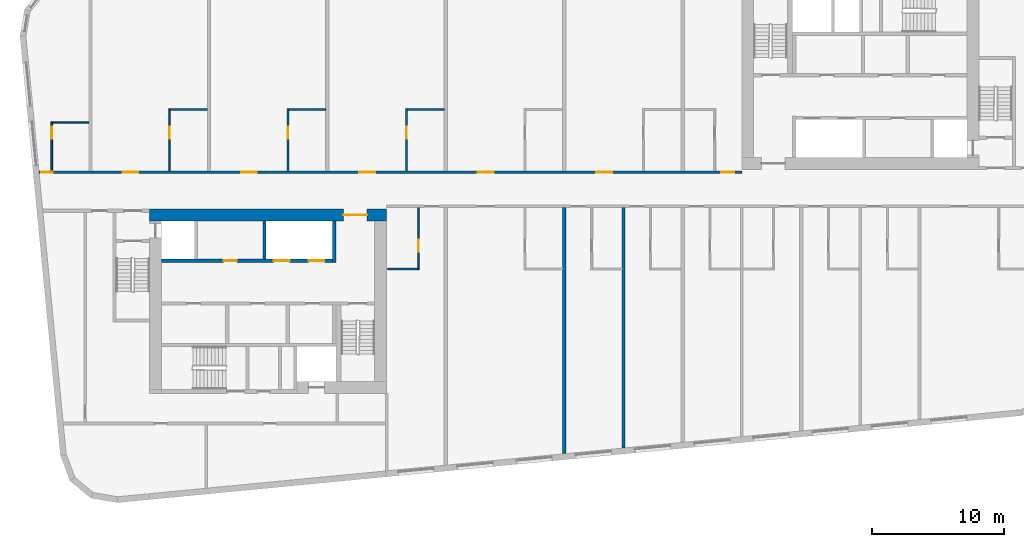
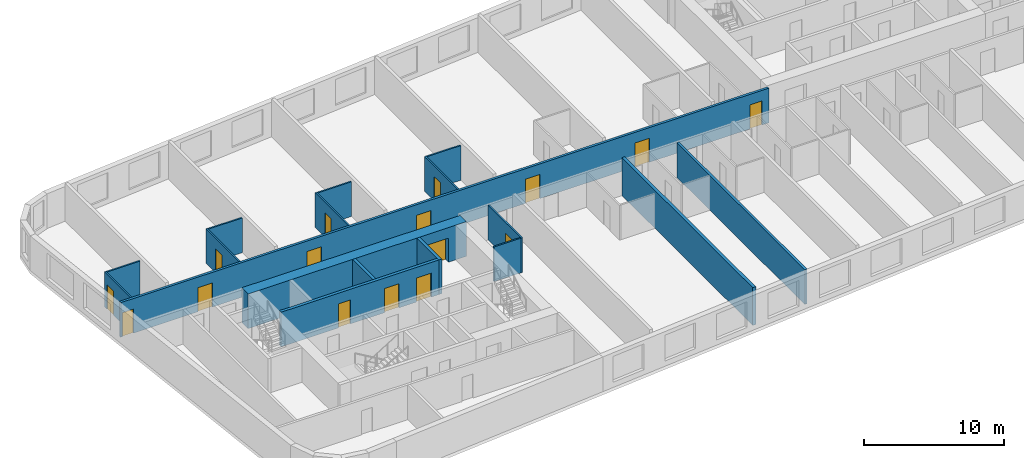
# One storey, part 3 of 11: 17 walls, 16 doors, 16 openings.
"""IFC4 building model written with IfcOpenShell, lengths in metres."""

from ifc_helpers import new_model, si_unit, direction, frame, frame_2d, origin, place, context, subcontext, project, spatial, rectangle, extrude, material, layer, layer_set, type_object, element, fill, save


model = new_model("IFC4")

# Units and contexts
model_context = context("Model", 3, precision=1e-05, world=origin(), true_north=direction((0.0, 1.0)))
body_context = subcontext(model_context, "Body", "Model", "MODEL_VIEW")
ifc_project = project(units=[si_unit("LENGTHUNIT", "METRE"), si_unit("AREAUNIT", "SQUARE_METRE"), si_unit("VOLUMEUNIT", "CUBIC_METRE"), si_unit("PLANEANGLEUNIT", "RADIAN"), si_unit("MASSUNIT", "GRAM", prefix="KILO")], contexts=[model_context])

# Site, building, storey
site_placement = place(None, origin())
site = spatial("IfcSite", under=ifc_project, at=site_placement, CompositionType="ELEMENT")
building_placement = place(site_placement, origin())
building = spatial("IfcBuilding", under=site, at=building_placement, Name="Kajstack Hotel Tower", CompositionType="ELEMENT")
storey_placement = place(building_placement, frame((0.0, 0.0, 285.0)))
storey = spatial("IfcBuildingStorey", under=building, at=storey_placement, Name="L71", CompositionType="ELEMENT", Elevation=285.0)

# Wall, opening, door
ifc_material_1 = material(Name="Concrete C60/75", Category="concrete")
ifc_layer_1 = layer(ifc_material_1, 0.89990234375)
ifc_layer_set_1 = layer_set([ifc_layer_1], Name="Core wall 900")
wall_type_1 = type_object("IfcWallType", Name="Core wall 900", PredefinedType="SHEAR", material=ifc_layer_set_1)
wall_1_placement = place(storey_placement, frame((-31.5, -1.949951171875, 0.0), z_axis=(0.0, 0.0, 1.0), x_axis=(1.0, 0.0, 0.0)))
wall_1 = element("IfcWall", 1, at=wall_1_placement, inside=storey, type_object=wall_type_1, Name="Core wall W RN", PredefinedType="SHEAR", context=body_context, shape_type="SweptSolid", body=[
    extrude(rectangle(XDim=18.0, YDim=0.89990234375, at=frame_2d((9.0, 0.0))), origin(), (0.0, 0.0, 1.0), 3.02001953125),
])
opening_1_placement = place(wall_1_placement, frame((14.72509765625, 0.0, 0.0)))
opening_1 = element("IfcOpeningElement", 2, at=opening_1_placement, cuts=wall_1, Name="Opening 71W05", PredefinedType="OPENING", context=body_context, shape_type="SweptSolid", body=[
    extrude(rectangle(XDim=1.800048828125, YDim=2.10009765625, at=frame_2d((0.89990234375, 1.050048828125))), frame((0.0, 0.4599609375, 0.0), z_axis=(0.0, -1.0, 0.0), x_axis=(1.0, 0.0, 0.0)), (0.0, 0.0, 1.0), 0.919921875),
])
ifc_material_2 = material(Name="Glazed steel frame, fire-rated glass", Category="steel")
door_type_1 = type_object("IfcDoorType", Name="Lobby double door 1800", OperationType="DOUBLE_DOOR_DOUBLE_SWING", PredefinedType="DOOR", material=ifc_material_2)
door_1_placement = place(opening_1_placement, origin())
door_1 = element("IfcDoor", 3, at=door_1_placement, inside=storey, type_object=door_type_1, Name="Door 71W05", OperationType="DOUBLE_DOOR_DOUBLE_SWING", OverallHeight=2.10009765625, OverallWidth=1.800048828125, PredefinedType="DOOR", context=body_context, shape_type="SweptSolid", body=[
    extrude(rectangle(XDim=1.800048828125, YDim=2.10009765625, at=frame_2d((0.89990234375, 1.050048828125))), frame((0.0, 0.02490234375, 0.0), z_axis=(0.0, -1.0, 0.0), x_axis=(1.0, 0.0, 0.0)), (0.0, 0.0, 1.0), 0.050048828125),
])
fill(opening_1, door_1)

# Wall, openings, doors
ifc_material_3 = material(Name="Gypsum board on steel studs, mineral wool", Category="steel")
ifc_layer_2 = layer(ifc_material_3, 0.199951171875)
ifc_layer_set_2 = layer_set([ifc_layer_2], Name="Corridor wall 200")
wall_type_2 = type_object("IfcWallType", Name="Corridor wall 200", PredefinedType="PARTITIONING", material=ifc_layer_set_2)
wall_2_placement = place(storey_placement, frame((-39.908935546875, 1.300048828125, 0.0), z_axis=(0.0, 0.0, 1.0), x_axis=(1.0, 0.0, 0.0)))
wall_2 = element("IfcWall", 4, at=wall_2_placement, inside=storey, type_object=wall_type_2, Name="G-wall-L71-003", PredefinedType="PARTITIONING", context=body_context, shape_type="SweptSolid", body=[
    extrude(rectangle(XDim=53.408935546875, YDim=0.199951171875, at=frame_2d((26.70458984375, 0.0))), origin(), (0.0, 0.0, 1.0), 3.02001953125),
])
opening_2_placement = place(wall_2_placement, frame((0.14990234375, 0.0, 0.0)))
opening_2 = element("IfcOpeningElement", 5, at=opening_2_placement, cuts=wall_2, Name="Opening 71001", PredefinedType="OPENING", context=body_context, shape_type="SweptSolid", body=[
    extrude(rectangle(XDim=0.89990234375, YDim=2.10009765625, at=frame_2d((0.449951171875, 1.050048828125))), frame((0.0, 0.10986328125, 0.0), z_axis=(0.0, -1.0, 0.0), x_axis=(1.0, 0.0, 0.0)), (0.0, 0.0, 1.0), 0.219970703125),
])
opening_3_placement = place(wall_2_placement, frame((6.346923828125, 0.0, 0.0)))
opening_3 = element("IfcOpeningElement", 6, at=opening_3_placement, cuts=wall_2, Name="Opening 71003", PredefinedType="OPENING", context=body_context, shape_type="SweptSolid", body=[
    extrude(rectangle(XDim=1.199951171875, YDim=2.10009765625, at=frame_2d((0.60009765625, 1.050048828125))), frame((0.0, 0.10986328125, 0.0), z_axis=(0.0, -1.0, 0.0), x_axis=(1.0, 0.0, 0.0)), (0.0, 0.0, 1.0), 0.219970703125),
])
opening_4_placement = place(wall_2_placement, frame((15.346923828125, 0.0, 0.0)))
opening_4 = element("IfcOpeningElement", 7, at=opening_4_placement, cuts=wall_2, Name="Opening 71005", PredefinedType="OPENING", context=body_context, shape_type="SweptSolid", body=[
    extrude(rectangle(XDim=1.199951171875, YDim=2.10009765625, at=frame_2d((0.60009765625, 1.050048828125))), frame((0.0, 0.10986328125, 0.0), z_axis=(0.0, -1.0, 0.0), x_axis=(1.0, 0.0, 0.0)), (0.0, 0.0, 1.0), 0.219970703125),
])
opening_5_placement = place(wall_2_placement, frame((24.345947265625, 0.0, 0.0)))
opening_5 = element("IfcOpeningElement", 8, at=opening_5_placement, cuts=wall_2, Name="Opening 71007", PredefinedType="OPENING", context=body_context, shape_type="SweptSolid", body=[
    extrude(rectangle(XDim=1.199951171875, YDim=2.10009765625, at=frame_2d((0.60009765625, 1.050048828125))), frame((0.0, 0.10986328125, 0.0), z_axis=(0.0, -1.0, 0.0), x_axis=(1.0, 0.0, 0.0)), (0.0, 0.0, 1.0), 0.219970703125),
])
opening_6_placement = place(wall_2_placement, frame((33.345947265625, 0.0, 0.0)))
opening_6 = element("IfcOpeningElement", 9, at=opening_6_placement, cuts=wall_2, Name="Opening 71009", PredefinedType="OPENING", context=body_context, shape_type="SweptSolid", body=[
    extrude(rectangle(XDim=1.199951171875, YDim=2.10009765625, at=frame_2d((0.60009765625, 1.050048828125))), frame((0.0, 0.10986328125, 0.0), z_axis=(0.0, -1.0, 0.0), x_axis=(1.0, 0.0, 0.0)), (0.0, 0.0, 1.0), 0.219970703125),
])
opening_7_placement = place(wall_2_placement, frame((42.345947265625, 0.0, 0.0)))
opening_7 = element("IfcOpeningElement", 10, at=opening_7_placement, cuts=wall_2, Name="Opening 71011", PredefinedType="OPENING", context=body_context, shape_type="SweptSolid", body=[
    extrude(rectangle(XDim=1.199951171875, YDim=2.10009765625, at=frame_2d((0.60009765625, 1.050048828125))), frame((0.0, 0.10986328125, 0.0), z_axis=(0.0, -1.0, 0.0), x_axis=(1.0, 0.0, 0.0)), (0.0, 0.0, 1.0), 0.219970703125),
])
opening_8_placement = place(wall_2_placement, frame((51.833984375, 0.0, 0.0)))
opening_8 = element("IfcOpeningElement", 11, at=opening_8_placement, cuts=wall_2, Name="Opening 71013", PredefinedType="OPENING", context=body_context, shape_type="SweptSolid", body=[
    extrude(rectangle(XDim=1.0, YDim=2.10009765625, at=frame_2d((0.5, 1.050048828125))), frame((0.0, 0.10986328125, 0.0), z_axis=(0.0, -1.0, 0.0), x_axis=(1.0, 0.0, 0.0)), (0.0, 0.0, 1.0), 0.219970703125),
])
ifc_material_4 = material(Name="Oak veneer on timber core, fire-rated leaf", Category="wood")
door_type_2 = type_object("IfcDoorType", Name="Flat entrance door 1000", OperationType="SINGLE_SWING_LEFT", PredefinedType="DOOR", material=ifc_material_4)
door_2_placement = place(opening_8_placement, origin())
door_2 = element("IfcDoor", 12, at=door_2_placement, inside=storey, type_object=door_type_2, Name="G-door-L71-13", OperationType="SINGLE_SWING_RIGHT", OverallHeight=2.10009765625, OverallWidth=1.0, PredefinedType="DOOR", context=body_context, shape_type="SweptSolid", body=[
    extrude(rectangle(XDim=1.0, YDim=2.10009765625, at=frame_2d((0.5, 1.050048828125))), frame((0.0, 0.02490234375, 0.0), z_axis=(0.0, -1.0, 0.0), x_axis=(1.0, 0.0, 0.0)), (0.0, 0.0, 1.0), 0.050048828125),
])
fill(opening_8, door_2)
door_type_3 = type_object("IfcDoorType", Name="Flat entrance door 1200", OperationType="SINGLE_SWING_LEFT", PredefinedType="DOOR", material=ifc_material_4)
door_3_placement = place(opening_3_placement, origin())
door_3 = element("IfcDoor", 13, at=door_3_placement, inside=storey, type_object=door_type_3, Name="G-door-L71-03", OperationType="SINGLE_SWING_LEFT", OverallHeight=2.10009765625, OverallWidth=1.199951171875, PredefinedType="DOOR", context=body_context, shape_type="SweptSolid", body=[
    extrude(rectangle(XDim=1.199951171875, YDim=2.10009765625, at=frame_2d((0.60009765625, 1.050048828125))), frame((0.0, 0.02490234375, 0.0), z_axis=(0.0, -1.0, 0.0), x_axis=(1.0, 0.0, 0.0)), (0.0, 0.0, 1.0), 0.050048828125),
])
fill(opening_3, door_3)
door_4_placement = place(opening_4_placement, origin())
door_4 = element("IfcDoor", 14, at=door_4_placement, inside=storey, type_object=door_type_3, Name="G-door-L71-05", OperationType="SINGLE_SWING_RIGHT", OverallHeight=2.10009765625, OverallWidth=1.199951171875, PredefinedType="DOOR", context=body_context, shape_type="SweptSolid", body=[
    extrude(rectangle(XDim=1.199951171875, YDim=2.10009765625, at=frame_2d((0.60009765625, 1.050048828125))), frame((0.0, 0.02490234375, 0.0), z_axis=(0.0, -1.0, 0.0), x_axis=(1.0, 0.0, 0.0)), (0.0, 0.0, 1.0), 0.050048828125),
])
fill(opening_4, door_4)
door_5_placement = place(opening_5_placement, origin())
door_5 = element("IfcDoor", 15, at=door_5_placement, inside=storey, type_object=door_type_3, Name="G-door-L71-07", OperationType="SINGLE_SWING_RIGHT", OverallHeight=2.10009765625, OverallWidth=1.199951171875, PredefinedType="DOOR", context=body_context, shape_type="SweptSolid", body=[
    extrude(rectangle(XDim=1.199951171875, YDim=2.10009765625, at=frame_2d((0.60009765625, 1.050048828125))), frame((0.0, 0.02490234375, 0.0), z_axis=(0.0, -1.0, 0.0), x_axis=(1.0, 0.0, 0.0)), (0.0, 0.0, 1.0), 0.050048828125),
])
fill(opening_5, door_5)
door_6_placement = place(opening_6_placement, origin())
door_6 = element("IfcDoor", 16, at=door_6_placement, inside=storey, type_object=door_type_3, Name="G-door-L71-09", OperationType="SINGLE_SWING_RIGHT", OverallHeight=2.10009765625, OverallWidth=1.199951171875, PredefinedType="DOOR", context=body_context, shape_type="SweptSolid", body=[
    extrude(rectangle(XDim=1.199951171875, YDim=2.10009765625, at=frame_2d((0.60009765625, 1.050048828125))), frame((0.0, 0.02490234375, 0.0), z_axis=(0.0, -1.0, 0.0), x_axis=(1.0, 0.0, 0.0)), (0.0, 0.0, 1.0), 0.050048828125),
])
fill(opening_6, door_6)
door_7_placement = place(opening_7_placement, origin())
door_7 = element("IfcDoor", 17, at=door_7_placement, inside=storey, type_object=door_type_3, Name="G-door-L71-11", OperationType="SINGLE_SWING_LEFT", OverallHeight=2.10009765625, OverallWidth=1.199951171875, PredefinedType="DOOR", context=body_context, shape_type="SweptSolid", body=[
    extrude(rectangle(XDim=1.199951171875, YDim=2.10009765625, at=frame_2d((0.60009765625, 1.050048828125))), frame((0.0, 0.02490234375, 0.0), z_axis=(0.0, -1.0, 0.0), x_axis=(1.0, 0.0, 0.0)), (0.0, 0.0, 1.0), 0.050048828125),
])
fill(opening_7, door_7)
ifc_material_5 = material(Name="Painted timber door leaf", Category="wood")
door_type_4 = type_object("IfcDoorType", Name="Room door 900", OperationType="SINGLE_SWING_LEFT", PredefinedType="DOOR", material=ifc_material_5)
door_8_placement = place(opening_2_placement, origin())
door_8 = element("IfcDoor", 18, at=door_8_placement, inside=storey, type_object=door_type_4, Name="G-door-L71-01", OperationType="SINGLE_SWING_LEFT", OverallHeight=2.10009765625, OverallWidth=0.89990234375, PredefinedType="DOOR", context=body_context, shape_type="SweptSolid", body=[
    extrude(rectangle(XDim=0.89990234375, YDim=2.10009765625, at=frame_2d((0.449951171875, 1.050048828125))), frame((0.0, 0.02490234375, 0.0), z_axis=(0.0, -1.0, 0.0), x_axis=(1.0, 0.0, 0.0)), (0.0, 0.0, 1.0), 0.050048828125),
])
fill(opening_2, door_8)

# Wall
ifc_material_6 = material(Name="Twin-frame gypsum board on steel studs, mineral wool", Category="steel")
ifc_layer_3 = layer(ifc_material_6, 0.199951171875)
ifc_layer_set_3 = layer_set([ifc_layer_3], Name="Demising wall 200")
wall_type_3 = type_object("IfcWallType", Name="Demising wall 200", PredefinedType="PARTITIONING", material=ifc_layer_set_3)
wall_3_placement = place(storey_placement, frame((4.5, -19.6630859375, 0.0), z_axis=(0.0, 0.0, 1.0), x_axis=(0.0, 1.0, 0.0)))
element("IfcWall", 19, at=wall_3_placement, inside=storey, type_object=wall_type_3, Name="G-wall-L71-023", PredefinedType="PARTITIONING", context=body_context, shape_type="SweptSolid", body=[
    extrude(rectangle(XDim=18.26318359375, YDim=0.199951171875, at=frame_2d((9.131591796875, 0.0))), origin(), (0.0, 0.0, 1.0), 3.02001953125),
])

# Wall, opening, door
ifc_material_7 = material(Name="Gypsum board and tiled backer on steel studs", Category="steel")
ifc_layer_4 = layer(ifc_material_7, 0.125)
ifc_layer_set_4 = layer_set([ifc_layer_4], Name="En-suite wall 125")
wall_type_4 = type_object("IfcWallType", Name="En-suite wall 125", PredefinedType="PARTITIONING", material=ifc_layer_set_4)
wall_4_placement = place(storey_placement, frame((-38.93994140625, 1.39990234375, 0.0), z_axis=(0.0, 0.0, 1.0), x_axis=(0.0, 1.0, 0.0)))
wall_4 = element("IfcWall", 20, at=wall_4_placement, inside=storey, type_object=wall_type_4, Name="G-wall-L71-004", PredefinedType="PARTITIONING", context=body_context, shape_type="SweptSolid", body=[
    extrude(rectangle(XDim=3.72509765625, YDim=0.125, at=frame_2d((1.862548828125, 0.0))), origin(), (0.0, 0.0, 1.0), 3.02001953125),
])
opening_9_placement = place(wall_4_placement, frame((2.449951171875, 0.0, 0.0)))
opening_9 = element("IfcOpeningElement", 21, at=opening_9_placement, cuts=wall_4, Name="Opening 71002", PredefinedType="OPENING", context=body_context, shape_type="SweptSolid", body=[
    extrude(rectangle(XDim=0.89990234375, YDim=2.10009765625, at=frame_2d((0.449951171875, 1.050048828125))), frame((0.0, 0.072509765625, 0.0), z_axis=(0.0, -1.0, 0.0), x_axis=(1.0, 0.0, 0.0)), (0.0, 0.0, 1.0), 0.14501953125),
])
door_9_placement = place(opening_9_placement, origin())
door_9 = element("IfcDoor", 22, at=door_9_placement, inside=storey, type_object=door_type_4, Name="G-door-L71-02", OperationType="SINGLE_SWING_RIGHT", OverallHeight=2.10009765625, OverallWidth=0.89990234375, PredefinedType="DOOR", context=body_context, shape_type="SweptSolid", body=[
    extrude(rectangle(XDim=0.89990234375, YDim=2.10009765625, at=frame_2d((0.449951171875, 1.050048828125))), frame((0.0, 0.02490234375, 0.0), z_axis=(0.0, -1.0, 0.0), x_axis=(1.0, 0.0, 0.0)), (0.0, 0.0, 1.0), 0.050048828125),
])
fill(opening_9, door_9)

# Wall
wall_5_placement = place(storey_placement, frame((-38.8779296875, 5.06201171875, 0.0), z_axis=(0.0, 0.0, 1.0), x_axis=(1.0, 0.0, 0.0)))
element("IfcWall", 23, at=wall_5_placement, inside=storey, type_object=wall_type_4, Name="G-wall-L71-005", PredefinedType="PARTITIONING", context=body_context, shape_type="SweptSolid", body=[
    extrude(rectangle(XDim=2.7529296875, YDim=0.125, at=frame_2d((1.37646484375, 0.0))), origin(), (0.0, 0.0, 1.0), 3.02001953125),
])

# Wall, opening, door
wall_6_placement = place(storey_placement, frame((-29.988037109375, 1.39990234375, 0.0), z_axis=(0.0, 0.0, 1.0), x_axis=(0.0, 1.0, 0.0)))
wall_6 = element("IfcWall", 24, at=wall_6_placement, inside=storey, type_object=wall_type_4, Name="G-wall-L71-006", PredefinedType="PARTITIONING", context=body_context, shape_type="SweptSolid", body=[
    extrude(rectangle(XDim=4.72509765625, YDim=0.125, at=frame_2d((2.362548828125, 0.0))), origin(), (0.0, 0.0, 1.0), 3.02001953125),
])
opening_10_placement = place(wall_6_placement, frame((2.449951171875, 0.0, 0.0)))
opening_10 = element("IfcOpeningElement", 25, at=opening_10_placement, cuts=wall_6, Name="Opening 71004", PredefinedType="OPENING", context=body_context, shape_type="SweptSolid", body=[
    extrude(rectangle(XDim=0.89990234375, YDim=2.10009765625, at=frame_2d((0.449951171875, 1.050048828125))), frame((0.0, 0.072509765625, 0.0), z_axis=(0.0, -1.0, 0.0), x_axis=(1.0, 0.0, 0.0)), (0.0, 0.0, 1.0), 0.14501953125),
])
door_10_placement = place(opening_10_placement, origin())
door_10 = element("IfcDoor", 26, at=door_10_placement, inside=storey, type_object=door_type_4, Name="G-door-L71-04", OperationType="SINGLE_SWING_LEFT", OverallHeight=2.10009765625, OverallWidth=0.89990234375, PredefinedType="DOOR", context=body_context, shape_type="SweptSolid", body=[
    extrude(rectangle(XDim=0.89990234375, YDim=2.10009765625, at=frame_2d((0.449951171875, 1.050048828125))), frame((0.0, 0.02490234375, 0.0), z_axis=(0.0, -1.0, 0.0), x_axis=(1.0, 0.0, 0.0)), (0.0, 0.0, 1.0), 0.050048828125),
])
fill(opening_10, door_10)

# Wall
wall_7_placement = place(storey_placement, frame((-29.925048828125, 6.06201171875, 0.0), z_axis=(0.0, 0.0, 1.0), x_axis=(1.0, 0.0, 0.0)))
element("IfcWall", 27, at=wall_7_placement, inside=storey, type_object=wall_type_4, Name="G-wall-L71-007", PredefinedType="PARTITIONING", context=body_context, shape_type="SweptSolid", body=[
    extrude(rectangle(XDim=2.800048828125, YDim=0.125, at=frame_2d((1.39990234375, 0.0))), origin(), (0.0, 0.0, 1.0), 3.02001953125),
])

# Wall, opening, door
wall_8_placement = place(storey_placement, frame((-20.988037109375, 1.39990234375, 0.0), z_axis=(0.0, 0.0, 1.0), x_axis=(0.0, 1.0, 0.0)))
wall_8 = element("IfcWall", 28, at=wall_8_placement, inside=storey, type_object=wall_type_4, Name="G-wall-L71-008", PredefinedType="PARTITIONING", context=body_context, shape_type="SweptSolid", body=[
    extrude(rectangle(XDim=4.72509765625, YDim=0.125, at=frame_2d((2.362548828125, 0.0))), origin(), (0.0, 0.0, 1.0), 3.02001953125),
])
opening_11_placement = place(wall_8_placement, frame((2.449951171875, 0.0, 0.0)))
opening_11 = element("IfcOpeningElement", 29, at=opening_11_placement, cuts=wall_8, Name="Opening 71006", PredefinedType="OPENING", context=body_context, shape_type="SweptSolid", body=[
    extrude(rectangle(XDim=0.89990234375, YDim=2.10009765625, at=frame_2d((0.449951171875, 1.050048828125))), frame((0.0, 0.072509765625, 0.0), z_axis=(0.0, -1.0, 0.0), x_axis=(1.0, 0.0, 0.0)), (0.0, 0.0, 1.0), 0.14501953125),
])
door_11_placement = place(opening_11_placement, origin())
door_11 = element("IfcDoor", 30, at=door_11_placement, inside=storey, type_object=door_type_4, Name="G-door-L71-06", OperationType="SINGLE_SWING_RIGHT", OverallHeight=2.10009765625, OverallWidth=0.89990234375, PredefinedType="DOOR", context=body_context, shape_type="SweptSolid", body=[
    extrude(rectangle(XDim=0.89990234375, YDim=2.10009765625, at=frame_2d((0.449951171875, 1.050048828125))), frame((0.0, 0.02490234375, 0.0), z_axis=(0.0, -1.0, 0.0), x_axis=(1.0, 0.0, 0.0)), (0.0, 0.0, 1.0), 0.050048828125),
])
fill(opening_11, door_11)

# Wall
wall_9_placement = place(storey_placement, frame((-20.925048828125, 6.06201171875, 0.0), z_axis=(0.0, 0.0, 1.0), x_axis=(1.0, 0.0, 0.0)))
element("IfcWall", 31, at=wall_9_placement, inside=storey, type_object=wall_type_4, Name="G-wall-L71-009", PredefinedType="PARTITIONING", context=body_context, shape_type="SweptSolid", body=[
    extrude(rectangle(XDim=2.800048828125, YDim=0.125, at=frame_2d((1.39990234375, 0.0))), origin(), (0.0, 0.0, 1.0), 3.02001953125),
])

# Wall, opening, door
wall_10_placement = place(storey_placement, frame((-11.988037109375, 1.39990234375, 0.0), z_axis=(0.0, 0.0, 1.0), x_axis=(0.0, 1.0, 0.0)))
wall_10 = element("IfcWall", 32, at=wall_10_placement, inside=storey, type_object=wall_type_4, Name="G-wall-L71-010", PredefinedType="PARTITIONING", context=body_context, shape_type="SweptSolid", body=[
    extrude(rectangle(XDim=4.72509765625, YDim=0.125, at=frame_2d((2.362548828125, 0.0))), origin(), (0.0, 0.0, 1.0), 3.02001953125),
])
opening_12_placement = place(wall_10_placement, frame((2.449951171875, 0.0, 0.0)))
opening_12 = element("IfcOpeningElement", 33, at=opening_12_placement, cuts=wall_10, Name="Opening 71008", PredefinedType="OPENING", context=body_context, shape_type="SweptSolid", body=[
    extrude(rectangle(XDim=0.89990234375, YDim=2.10009765625, at=frame_2d((0.449951171875, 1.050048828125))), frame((0.0, 0.072509765625, 0.0), z_axis=(0.0, -1.0, 0.0), x_axis=(1.0, 0.0, 0.0)), (0.0, 0.0, 1.0), 0.14501953125),
])
door_12_placement = place(opening_12_placement, origin())
door_12 = element("IfcDoor", 34, at=door_12_placement, inside=storey, type_object=door_type_4, Name="G-door-L71-08", OperationType="SINGLE_SWING_RIGHT", OverallHeight=2.10009765625, OverallWidth=0.89990234375, PredefinedType="DOOR", context=body_context, shape_type="SweptSolid", body=[
    extrude(rectangle(XDim=0.89990234375, YDim=2.10009765625, at=frame_2d((0.449951171875, 1.050048828125))), frame((0.0, 0.02490234375, 0.0), z_axis=(0.0, -1.0, 0.0), x_axis=(1.0, 0.0, 0.0)), (0.0, 0.0, 1.0), 0.050048828125),
])
fill(opening_12, door_12)

# Wall
wall_11_placement = place(storey_placement, frame((-11.925048828125, 6.06201171875, 0.0), z_axis=(0.0, 0.0, 1.0), x_axis=(1.0, 0.0, 0.0)))
element("IfcWall", 35, at=wall_11_placement, inside=storey, type_object=wall_type_4, Name="G-wall-L71-011", PredefinedType="PARTITIONING", context=body_context, shape_type="SweptSolid", body=[
    extrude(rectangle(XDim=2.800048828125, YDim=0.125, at=frame_2d((1.39990234375, 0.0))), origin(), (0.0, 0.0, 1.0), 3.02001953125),
])

# Wall, opening, door
wall_12_placement = place(storey_placement, frame((-11.087890625, -6.125, 0.0), z_axis=(0.0, 0.0, 1.0), x_axis=(0.0, 1.0, 0.0)))
wall_12 = element("IfcWall", 36, at=wall_12_placement, inside=storey, type_object=wall_type_4, Name="G-wall-L71-019", PredefinedType="PARTITIONING", context=body_context, shape_type="SweptSolid", body=[
    extrude(rectangle(XDim=4.72509765625, YDim=0.125, at=frame_2d((2.362548828125, 0.0))), origin(), (0.0, 0.0, 1.0), 3.02001953125),
])
opening_13_placement = place(wall_12_placement, frame((1.375, 0.0, 0.0)))
opening_13 = element("IfcOpeningElement", 37, at=opening_13_placement, cuts=wall_12, Name="Opening 71016", PredefinedType="OPENING", context=body_context, shape_type="SweptSolid", body=[
    extrude(rectangle(XDim=0.89990234375, YDim=2.10009765625, at=frame_2d((0.449951171875, 1.050048828125))), frame((0.0, 0.072509765625, 0.0), z_axis=(0.0, -1.0, 0.0), x_axis=(1.0, 0.0, 0.0)), (0.0, 0.0, 1.0), 0.14501953125),
])
door_13_placement = place(opening_13_placement, origin())
door_13 = element("IfcDoor", 38, at=door_13_placement, inside=storey, type_object=door_type_4, Name="G-door-L71-16", OperationType="SINGLE_SWING_LEFT", OverallHeight=2.10009765625, OverallWidth=0.89990234375, PredefinedType="DOOR", context=body_context, shape_type="SweptSolid", body=[
    extrude(rectangle(XDim=0.89990234375, YDim=2.10009765625, at=frame_2d((0.449951171875, 1.050048828125))), frame((0.0, 0.02490234375, 0.0), z_axis=(0.0, -1.0, 0.0), x_axis=(1.0, 0.0, 0.0)), (0.0, 0.0, 1.0), 0.050048828125),
])
fill(opening_13, door_13)

# Walls
wall_13_placement = place(storey_placement, frame((-13.39990234375, -6.06201171875, 0.0), z_axis=(0.0, 0.0, 1.0), x_axis=(1.0, 0.0, 0.0)))
element("IfcWall", 39, at=wall_13_placement, inside=storey, type_object=wall_type_4, Name="G-wall-L71-020", PredefinedType="PARTITIONING", context=body_context, shape_type="SweptSolid", body=[
    extrude(rectangle(XDim=2.25, YDim=0.125, at=frame_2d((1.125, 0.0))), origin(), (0.0, 0.0, 1.0), 3.02001953125),
])
ifc_material_8 = material(Name="Concrete C50/60", Category="concrete")
ifc_layer_5 = layer(ifc_material_8, 0.300048828125)
ifc_layer_set_5 = layer_set([ifc_layer_5], Name="Hoistway divider wall 300")
wall_type_5 = type_object("IfcWallType", Name="Hoistway divider wall 300", PredefinedType="SHEAR", material=ifc_layer_set_5)
wall_14_placement = place(storey_placement, frame((-22.77490234375, -5.300048828125, 0.0), z_axis=(0.0, 0.0, 1.0), x_axis=(0.0, 1.0, 0.0)))
element("IfcWall", 40, at=wall_14_placement, inside=storey, type_object=wall_type_5, Name="Core wall W AP2", PredefinedType="SHEAR", context=body_context, shape_type="SweptSolid", body=[
    extrude(rectangle(XDim=2.900146484375, YDim=0.25, at=frame_2d((1.4501953125, 0.0))), origin(), (0.0, 0.0, 1.0), 3.02001953125),
])
ifc_material_9 = material(Name="Concrete C40/50", Category="concrete")
ifc_layer_6 = layer(ifc_material_9, 0.25)
ifc_layer_set_6 = layer_set([ifc_layer_6], Name="RC cross wall 250 C40/50")
wall_type_6 = type_object("IfcWallType", Name="RC cross wall 250 C40/50", PredefinedType="SHEAR", material=ifc_layer_set_6)
wall_15_placement = place(storey_placement, frame((0.0, -20.073974609375, 0.0), z_axis=(0.0, 0.0, 1.0), x_axis=(0.0, 1.0, 0.0)))
element("IfcWall", 41, at=wall_15_placement, inside=storey, type_object=wall_type_6, Name="S-wall-L71-06", PredefinedType="SHEAR", context=body_context, shape_type="SweptSolid", body=[
    extrude(rectangle(XDim=18.674072265625, YDim=0.25, at=frame_2d((9.3369140625, 0.0))), origin(), (0.0, 0.0, 1.0), 3.300048828125),
])

# Wall, openings, doors
ifc_layer_7 = layer(ifc_material_8, 0.25)
ifc_layer_set_7 = layer_set([ifc_layer_7], Name="Shaft wall 250")
wall_type_7 = type_object("IfcWallType", Name="Shaft wall 250", PredefinedType="SHEAR", material=ifc_layer_set_7)
wall_16_placement = place(storey_placement, frame((-30.60009765625, -5.425048828125, 0.0), z_axis=(0.0, 0.0, 1.0), x_axis=(1.0, 0.0, 0.0)))
wall_16 = element("IfcWall", 42, at=wall_16_placement, inside=storey, type_object=wall_type_7, Name="Core wall W FA", PredefinedType="SHEAR", context=body_context, shape_type="SweptSolid", body=[
    extrude(rectangle(XDim=13.0, YDim=0.25, at=frame_2d((6.5, 0.0))), origin(), (0.0, 0.0, 1.0), 3.02001953125),
])
opening_14_placement = place(wall_16_placement, frame((8.52490234375, 0.0, 0.0)))
opening_14 = element("IfcOpeningElement", 43, at=opening_14_placement, cuts=wall_16, Name="Opening LD-HR1", PredefinedType="OPENING", context=body_context, shape_type="SweptSolid", body=[
    extrude(rectangle(XDim=1.199951171875, YDim=2.10009765625, at=frame_2d((0.60009765625, 1.050048828125))), frame((0.0, 0.135009765625, 0.0), z_axis=(0.0, -1.0, 0.0), x_axis=(1.0, 0.0, 0.0)), (0.0, 0.0, 1.0), 0.27001953125),
])
opening_15_placement = place(wall_16_placement, frame((11.175048828125, 0.0, 0.0)))
opening_15 = element("IfcOpeningElement", 44, at=opening_15_placement, cuts=wall_16, Name="Opening LD-HR2", PredefinedType="OPENING", context=body_context, shape_type="SweptSolid", body=[
    extrude(rectangle(XDim=1.199951171875, YDim=2.10009765625, at=frame_2d((0.60009765625, 1.050048828125))), frame((0.0, 0.135009765625, 0.0), z_axis=(0.0, -1.0, 0.0), x_axis=(1.0, 0.0, 0.0)), (0.0, 0.0, 1.0), 0.27001953125),
])
opening_16_placement = place(wall_16_placement, frame((4.72509765625, 0.0, 0.0)))
opening_16 = element("IfcOpeningElement", 45, at=opening_16_placement, cuts=wall_16, Name="Opening 71W15", PredefinedType="OPENING", context=body_context, shape_type="SweptSolid", body=[
    extrude(rectangle(XDim=1.0, YDim=2.10009765625, at=frame_2d((0.5, 1.050048828125))), frame((0.0, 0.135009765625, 0.0), z_axis=(0.0, -1.0, 0.0), x_axis=(1.0, 0.0, 0.0)), (0.0, 0.0, 1.0), 0.27001953125),
])
ifc_material_10 = material(Name="Stainless steel", Category="steel")
door_type_5 = type_object("IfcDoorType", Name="Lift landing door 1200", OperationType="SLIDING_TO_LEFT", PredefinedType="DOOR", material=ifc_material_10)
door_14_placement = place(opening_14_placement, origin())
door_14 = element("IfcDoor", 46, at=door_14_placement, inside=storey, type_object=door_type_5, Name="Landing door HR1", OperationType="SLIDING_TO_LEFT", OverallHeight=2.10009765625, OverallWidth=1.199951171875, PredefinedType="DOOR", context=body_context, shape_type="SweptSolid", body=[
    extrude(rectangle(XDim=1.199951171875, YDim=2.10009765625, at=frame_2d((0.60009765625, 1.050048828125))), frame((0.0, 0.02490234375, 0.0), z_axis=(0.0, -1.0, 0.0), x_axis=(1.0, 0.0, 0.0)), (0.0, 0.0, 1.0), 0.050048828125),
])
fill(opening_14, door_14)
door_15_placement = place(opening_15_placement, origin())
door_15 = element("IfcDoor", 47, at=door_15_placement, inside=storey, type_object=door_type_5, Name="Landing door HR2", OperationType="SLIDING_TO_RIGHT", OverallHeight=2.10009765625, OverallWidth=1.199951171875, PredefinedType="DOOR", context=body_context, shape_type="SweptSolid", body=[
    extrude(rectangle(XDim=1.199951171875, YDim=2.10009765625, at=frame_2d((0.60009765625, 1.050048828125))), frame((0.0, 0.02490234375, 0.0), z_axis=(0.0, -1.0, 0.0), x_axis=(1.0, 0.0, 0.0)), (0.0, 0.0, 1.0), 0.050048828125),
])
fill(opening_15, door_15)
ifc_material_11 = material(Name="Timber leaf, fire-rated", Category="wood")
door_type_6 = type_object("IfcDoorType", Name="Service room door 1000", OperationType="SINGLE_SWING_LEFT", PredefinedType="DOOR", material=ifc_material_11)
door_16_placement = place(opening_16_placement, origin())
door_16 = element("IfcDoor", 48, at=door_16_placement, inside=storey, type_object=door_type_6, Name="Door 71W15", OperationType="SINGLE_SWING_RIGHT", OverallHeight=2.10009765625, OverallWidth=1.0, PredefinedType="DOOR", context=body_context, shape_type="SweptSolid", body=[
    extrude(rectangle(XDim=1.0, YDim=2.10009765625, at=frame_2d((0.5, 1.050048828125))), frame((0.0, 0.02490234375, 0.0), z_axis=(0.0, -1.0, 0.0), x_axis=(1.0, 0.0, 0.0)), (0.0, 0.0, 1.0), 0.050048828125),
])
fill(opening_16, door_16)

# Wall
wall_17_placement = place(storey_placement, frame((-17.47509765625, -5.550048828125, 0.0), z_axis=(0.0, 0.0, 1.0), x_axis=(0.0, 1.0, 0.0)))
element("IfcWall", 49, at=wall_17_placement, inside=storey, type_object=wall_type_7, Name="Core wall W AE", PredefinedType="SHEAR", context=body_context, shape_type="SweptSolid", body=[
    extrude(rectangle(XDim=3.150146484375, YDim=0.25, at=frame_2d((1.5751953125, 0.0))), origin(), (0.0, 0.0, 1.0), 3.02001953125),
])

save(model, "model.ifc")
